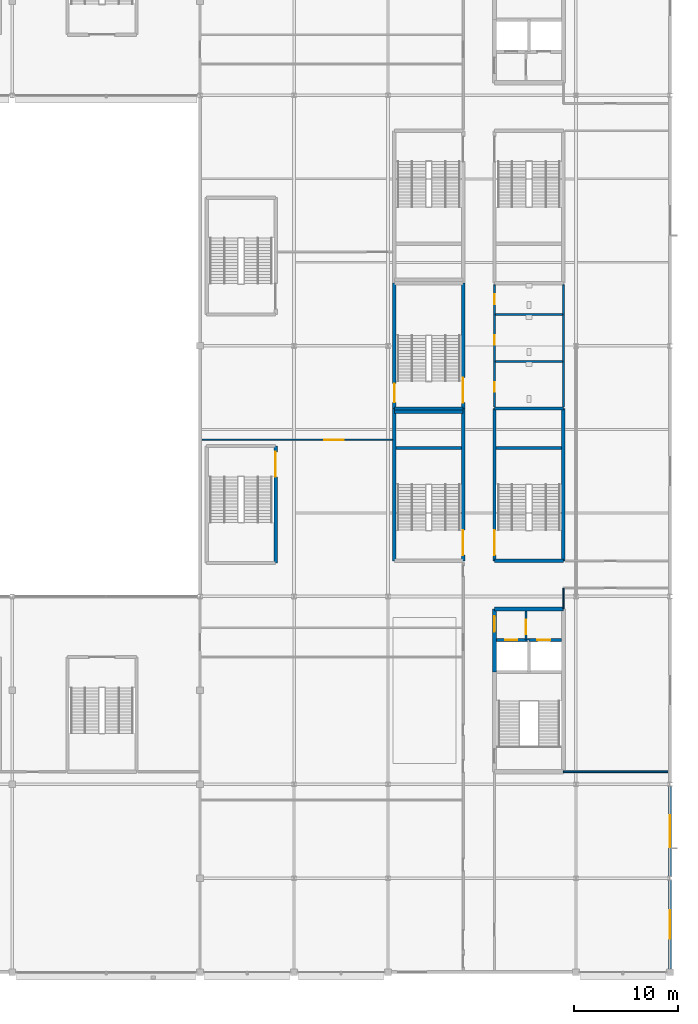
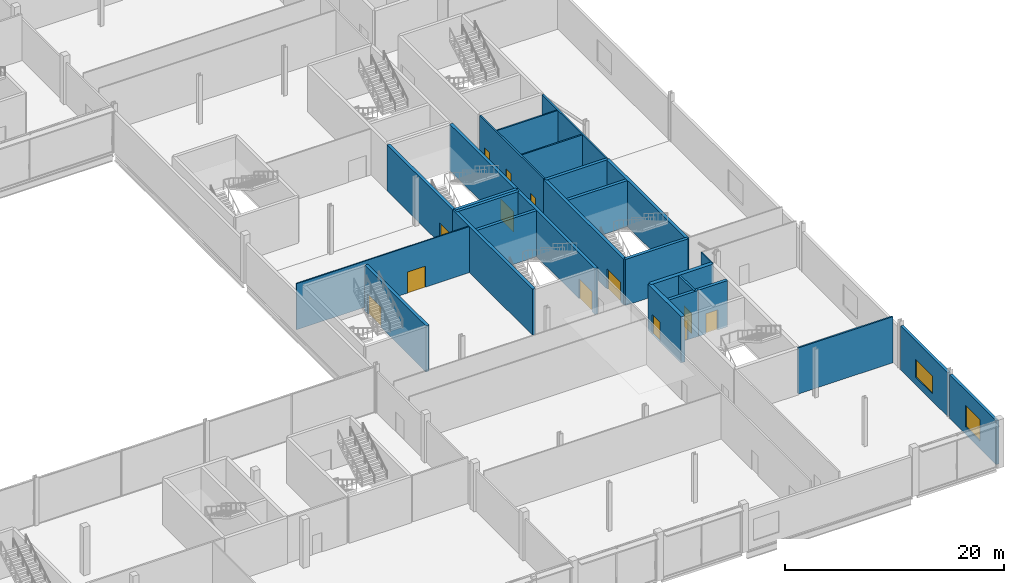
# One storey, part 65 of 111: 27 walls, 13 doors, 2 windows, 15 openings.
"""IFC4 building model written with IfcOpenShell, lengths in metres."""

from ifc_helpers import new_model, si_unit, direction, frame, frame_2d, origin, place, context, subcontext, project, spatial, rectangle, extrude, material, layer, layer_set, type_object, element, fill, save


model = new_model("IFC4")

# Units and contexts
model_context = context("Model", 3, precision=1e-05, world=origin(), true_north=direction((0.0, 1.0)))
body_context = subcontext(model_context, "Body", "Model", "MODEL_VIEW")
ifc_project = project(units=[si_unit("LENGTHUNIT", "METRE"), si_unit("AREAUNIT", "SQUARE_METRE"), si_unit("VOLUMEUNIT", "CUBIC_METRE"), si_unit("PLANEANGLEUNIT", "RADIAN"), si_unit("MASSUNIT", "GRAM", prefix="KILO")], contexts=[model_context])

# Site, building, storey
site_placement = place(None, origin())
site = spatial("IfcSite", under=ifc_project, at=site_placement, CompositionType="ELEMENT")
building_placement = place(site_placement, origin())
building = spatial("IfcBuilding", under=site, at=building_placement, Name="Kisiwana Market Hall", CompositionType="ELEMENT")
storey_placement = place(building_placement, frame((0.0, 0.0, 11.39990234375)))
storey = spatial("IfcBuildingStorey", under=building, at=storey_placement, Name="L02", CompositionType="ELEMENT", Elevation=11.39990234375)

# Wall, opening, door
ifc_material_1 = material(Name="Masonry blockwork", Category="masonry")
ifc_layer_1 = layer(ifc_material_1, 0.199951171875, Name="Plastered fire compartment block wall")
ifc_layer_set_1 = layer_set([ifc_layer_1], Name="WL-COMP-200")
wall_type_1 = type_object("IfcWallType", Name="WL-COMP-200", PredefinedType="PARTITIONING", material=ifc_layer_set_1)
wall_1_placement = place(storey_placement, frame((184.199951171875, 31.820068359375, 0.0), z_axis=(0.0, 0.0, 1.0), x_axis=(0.0, 1.0, 0.0)))
wall_1 = element("IfcWall", 1, at=wall_1_placement, inside=storey, type_object=wall_type_1, Name="Core E2 firefighting lobby wall W-1102", PredefinedType="PARTITIONING", context=body_context, shape_type="SweptSolid", body=[
    extrude(rectangle(XDim=2.780029296875, YDim=0.199951171875, at=frame_2d((1.39013671875, 0.0))), origin(), (0.0, 0.0, 1.0), 5.150146484375),
])
opening_1_placement = place(wall_1_placement, frame((0.550048828125, 0.0, 0.0)))
opening_1 = element("IfcOpeningElement", 2, at=opening_1_placement, cuts=wall_1, Name="Opening DR-L02-009", PredefinedType="OPENING", context=body_context, shape_type="SweptSolid", body=[
    extrude(rectangle(XDim=1.39990234375, YDim=2.25, at=frame_2d((0.699951171875, 1.125))), frame((0.0, 0.11181640625, 0.0), z_axis=(0.0, -1.0, 0.0), x_axis=(1.0, 0.0, 0.0)), (0.0, 0.0, 1.0), 0.223876953125),
])
ifc_material_2 = material(Name="Steel S275", Category="steel")
door_type_1 = type_object("IfcDoorType", Name="DR-FFLOB-FD120-1400", OperationType="DOUBLE_DOOR_SINGLE_SWING", PredefinedType="DOOR", material=ifc_material_2)
door_1_placement = place(opening_1_placement, origin())
door_1 = element("IfcDoor", 3, at=door_1_placement, inside=storey, type_object=door_type_1, Name="Firefighting Lift Lobby E2 Door (L02)", OperationType="DOUBLE_DOOR_SINGLE_SWING", OverallHeight=2.25, OverallWidth=1.39990234375, PredefinedType="DOOR", context=body_context, shape_type="SweptSolid", body=[
    extrude(rectangle(XDim=1.39990234375, YDim=2.25, at=frame_2d((0.699951171875, 1.125))), frame((0.0, 0.02490234375, 0.0), z_axis=(0.0, -1.0, 0.0), x_axis=(1.0, 0.0, 0.0)), (0.0, 0.0, 1.0), 0.050048828125),
])
fill(opening_1, door_1)

ifc_material_3 = material(Name="Concrete C40/50", Category="concrete")
ifc_layer_2 = layer(ifc_material_3, 0.320068359375, Name="Reinforced concrete shaft wall")
ifc_layer_set_2 = layer_set([ifc_layer_2], Name="WL-CORE-320")
wall_type_2 = type_object("IfcWallType", Name="WL-CORE-320", PredefinedType="SHEAR", material=ifc_layer_set_2)
wall_2_placement = place(storey_placement, frame((181.39990234375, 31.820068359375, 0.0), z_axis=(0.0, 0.0, 1.0), x_axis=(1.0, 0.0, 0.0)))
wall_2 = element("IfcWall", 4, at=wall_2_placement, inside=storey, type_object=wall_type_2, Name="Core E2 west lift front wall W-0943", PredefinedType="SHEAR", context=body_context, shape_type="SweptSolid", body=[
    extrude(rectangle(XDim=3.10009765625, YDim=0.320068359375, at=frame_2d((1.550048828125, 0.0))), origin(), (0.0, 0.0, 1.0), 5.150146484375),
])
opening_2_placement = place(wall_2_placement, frame((0.85009765625, 0.0, 0.0)))
opening_2 = element("IfcOpeningElement", 5, at=opening_2_placement, cuts=wall_2, Name="Opening LD-L02-005", PredefinedType="OPENING", context=body_context, shape_type="SweptSolid", body=[
    extrude(rectangle(XDim=1.14990234375, YDim=2.199951171875, at=frame_2d((0.574951171875, 1.10009765625))), frame((0.0, 0.171875, 0.0), z_axis=(0.0, -1.0, 0.0), x_axis=(1.0, 0.0, 0.0)), (0.0, 0.0, 1.0), 0.343994140625),
])
ifc_material_4 = material(Name="Steel S275", Category="steel")
door_type_2 = type_object("IfcDoorType", Name="DR-LIFT-PAX-1150", OperationType="DOUBLE_DOOR_SLIDING", PredefinedType="DOOR", material=ifc_material_4)
door_2_placement = place(opening_2_placement, origin())
door_2 = element("IfcDoor", 6, at=door_2_placement, inside=storey, type_object=door_type_2, Name="Lift Landing Door LP-03 (L02)", OperationType="DOUBLE_DOOR_SLIDING", OverallHeight=2.199951171875, OverallWidth=1.14990234375, PredefinedType="DOOR", context=body_context, shape_type="SweptSolid", body=[
    extrude(rectangle(XDim=1.14990234375, YDim=2.199951171875, at=frame_2d((0.574951171875, 1.10009765625))), frame((0.0, 0.02490234375, 0.0), z_axis=(0.0, -1.0, 0.0), x_axis=(1.0, 0.0, 0.0)), (0.0, 0.0, 1.0), 0.050048828125),
])
fill(opening_2, door_2)

wall_3_placement = place(storey_placement, frame((184.5, 31.820068359375, 0.0), z_axis=(0.0, 0.0, 1.0), x_axis=(1.0, 0.0, 0.0)))
wall_3 = element("IfcWall", 7, at=wall_3_placement, inside=storey, type_object=wall_type_2, Name="Core E2 east lift front wall W-0944", PredefinedType="SHEAR", context=body_context, shape_type="SweptSolid", body=[
    extrude(rectangle(XDim=3.10009765625, YDim=0.320068359375, at=frame_2d((1.550048828125, 0.0))), origin(), (0.0, 0.0, 1.0), 5.150146484375),
])
opening_3_placement = place(wall_3_placement, frame((0.800048828125, 0.0, 0.0)))
opening_3 = element("IfcOpeningElement", 8, at=opening_3_placement, cuts=wall_3, Name="Opening LD-L02-006", PredefinedType="OPENING", context=body_context, shape_type="SweptSolid", body=[
    extrude(rectangle(XDim=1.25, YDim=2.25, at=frame_2d((0.625, 1.125))), frame((0.0, 0.171875, 0.0), z_axis=(0.0, -1.0, 0.0), x_axis=(1.0, 0.0, 0.0)), (0.0, 0.0, 1.0), 0.343994140625),
])
ifc_material_5 = material(Name="Steel S275", Category="steel")
door_type_3 = type_object("IfcDoorType", Name="DR-LIFT-FFL-1250", OperationType="DOUBLE_DOOR_SLIDING", PredefinedType="DOOR", material=ifc_material_5)
door_3_placement = place(opening_3_placement, origin())
door_3 = element("IfcDoor", 9, at=door_3_placement, inside=storey, type_object=door_type_3, Name="Lift Landing Door FFL-03 (L02)", OperationType="DOUBLE_DOOR_SLIDING", OverallHeight=2.25, OverallWidth=1.25, PredefinedType="DOOR", context=body_context, shape_type="SweptSolid", body=[
    extrude(rectangle(XDim=1.25, YDim=2.25, at=frame_2d((0.625, 1.125))), frame((0.0, 0.02490234375, 0.0), z_axis=(0.0, -1.0, 0.0), x_axis=(1.0, 0.0, 0.0)), (0.0, 0.0, 1.0), 0.050048828125),
])
fill(opening_3, door_3)

# Walls
for number, where, z_axis, x_axis, name in (
    (10, (181.199951171875, 39.39990234375, 0.0), (0.0, 0.0, 1.0), (1.0, 0.0, 0.0), "Core E3 south shear wall W-0986"),
    (11, (181.199951171875, 54.0, 0.0), (0.0, 0.0, 1.0), (1.0, 0.0, 0.0), "Core E3 north shear wall W-0987"),
):
    element("IfcWall", number, at=place(storey_placement, frame(where, z_axis=z_axis, x_axis=x_axis)), inside=storey, type_object=wall_type_2, Name=name, PredefinedType="SHEAR", context=body_context, shape_type="SweptSolid", body=[
        extrude(rectangle(XDim=6.60009765625, YDim=0.320068359375, at=frame_2d((3.300048828125, 0.0))), origin(), (0.0, 0.0, 1.0), 5.150146484375),
    ])

# Wall, opening, door
wall_4_placement = place(storey_placement, frame((181.199951171875, 39.39990234375, 0.0), z_axis=(0.0, 0.0, 1.0), x_axis=(0.0, 1.0, 0.0)))
wall_4 = element("IfcWall", 12, at=wall_4_placement, inside=storey, type_object=wall_type_2, Name="Core E3 corridor shear wall W-0988", PredefinedType="SHEAR", context=body_context, shape_type="SweptSolid", body=[
    extrude(rectangle(XDim=14.60009765625, YDim=0.320068359375, at=frame_2d((7.300048828125, 0.0))), origin(), (0.0, 0.0, 1.0), 5.150146484375),
])
opening_4_placement = place(wall_4_placement, frame((0.550048828125, 0.0, 0.0)))
opening_4 = element("IfcOpeningElement", 13, at=opening_4_placement, cuts=wall_4, Name="Opening DR-L02-021", PredefinedType="OPENING", context=body_context, shape_type="SweptSolid", body=[
    extrude(rectangle(XDim=2.39990234375, YDim=2.25, at=frame_2d((1.199951171875, 1.125))), frame((0.0, 0.171875, 0.0), z_axis=(0.0, -1.0, 0.0), x_axis=(1.0, 0.0, 0.0)), (0.0, 0.0, 1.0), 0.343994140625),
])
ifc_material_6 = material(Name="Steel S275", Category="steel")
door_type_4 = type_object("IfcDoorType", Name="DR-STAIR-FD120-2400", OperationType="DOUBLE_DOOR_SINGLE_SWING", PredefinedType="DOOR", material=ifc_material_6)
door_4_placement = place(opening_4_placement, frame((2.39990234375, 0.0, 0.0), z_axis=(0.0, 0.0, 1.0), x_axis=(-1.0, 0.0, 0.0)))
door_4 = element("IfcDoor", 14, at=door_4_placement, inside=storey, type_object=door_type_4, Name="Escape Stair E3 Fire Door (L02)", OperationType="DOUBLE_DOOR_SINGLE_SWING", OverallHeight=2.25, OverallWidth=2.39990234375, PredefinedType="DOOR", context=body_context, shape_type="SweptSolid", body=[
    extrude(rectangle(XDim=2.39990234375, YDim=2.25, at=frame_2d((1.199951171875, 1.125))), frame((0.0, 0.02490234375, 0.0), z_axis=(0.0, -1.0, 0.0), x_axis=(1.0, 0.0, 0.0)), (0.0, 0.0, 1.0), 0.050048828125),
])
fill(opening_4, door_4)

# Walls
wall_5_placement = place(storey_placement, frame((187.800048828125, 39.39990234375, 0.0), z_axis=(0.0, 0.0, 1.0), x_axis=(0.0, 1.0, 0.0)))
element("IfcWall", 15, at=wall_5_placement, inside=storey, type_object=wall_type_2, Name="Core E3 outer shear wall W-0989", PredefinedType="SHEAR", context=body_context, shape_type="SweptSolid", body=[
    extrude(rectangle(XDim=14.60009765625, YDim=0.320068359375, at=frame_2d((7.300048828125, 0.0))), origin(), (0.0, 0.0, 1.0), 5.150146484375),
])
wall_6_placement = place(storey_placement, frame((181.360107421875, 50.219970703125, 0.0), z_axis=(0.0, 0.0, 1.0), x_axis=(1.0, 0.0, 0.0)))
element("IfcWall", 16, at=wall_6_placement, inside=storey, type_object=wall_type_2, Name="Core E3 riser divider shear wall W-0990", PredefinedType="SHEAR", context=body_context, shape_type="SweptSolid", body=[
    extrude(rectangle(XDim=6.27978515625, YDim=0.320068359375, at=frame_2d((3.139892578125, 0.0))), origin(), (0.0, 0.0, 1.0), 5.150146484375),
])
wall_7_placement = place(storey_placement, frame((171.60009765625, 54.0, 0.0), z_axis=(0.0, 0.0, 1.0), x_axis=(1.0, 0.0, 0.0)))
element("IfcWall", 17, at=wall_7_placement, inside=storey, type_object=wall_type_2, Name="Core E7 north shear wall W-1002", PredefinedType="SHEAR", context=body_context, shape_type="SweptSolid", body=[
    extrude(rectangle(XDim=6.599853515625, YDim=0.320068359375, at=frame_2d((3.2998046875, 0.0))), origin(), (0.0, 0.0, 1.0), 5.150146484375),
])
wall_8_placement = place(storey_placement, frame((171.60009765625, 39.39990234375, 0.0), z_axis=(0.0, 0.0, 1.0), x_axis=(0.0, 1.0, 0.0)))
element("IfcWall", 18, at=wall_8_placement, inside=storey, type_object=wall_type_2, Name="Core E7 outer shear wall W-1003", PredefinedType="SHEAR", context=body_context, shape_type="SweptSolid", body=[
    extrude(rectangle(XDim=14.60009765625, YDim=0.320068359375, at=frame_2d((7.300048828125, 0.0))), origin(), (0.0, 0.0, 1.0), 5.150146484375),
])

# Wall, opening, door
wall_9_placement = place(storey_placement, frame((178.199951171875, 39.39990234375, 0.0), z_axis=(0.0, 0.0, 1.0), x_axis=(0.0, 1.0, 0.0)))
wall_9 = element("IfcWall", 19, at=wall_9_placement, inside=storey, type_object=wall_type_2, Name="Core E7 corridor shear wall W-1004", PredefinedType="SHEAR", context=body_context, shape_type="SweptSolid", body=[
    extrude(rectangle(XDim=14.60009765625, YDim=0.320068359375, at=frame_2d((7.300048828125, 0.0))), origin(), (0.0, 0.0, 1.0), 5.150146484375),
])
opening_5_placement = place(wall_9_placement, frame((0.550048828125, 0.0, 0.0)))
opening_5 = element("IfcOpeningElement", 20, at=opening_5_placement, cuts=wall_9, Name="Opening DR-L02-024", PredefinedType="OPENING", context=body_context, shape_type="SweptSolid", body=[
    extrude(rectangle(XDim=2.39990234375, YDim=2.25, at=frame_2d((1.199951171875, 1.125))), frame((0.0, 0.171875, 0.0), z_axis=(0.0, -1.0, 0.0), x_axis=(1.0, 0.0, 0.0)), (0.0, 0.0, 1.0), 0.343994140625),
])
door_5_placement = place(opening_5_placement, origin())
door_5 = element("IfcDoor", 21, at=door_5_placement, inside=storey, type_object=door_type_4, Name="Escape Stair E7 Fire Door (L02)", OperationType="DOUBLE_DOOR_SINGLE_SWING", OverallHeight=2.25, OverallWidth=2.39990234375, PredefinedType="DOOR", context=body_context, shape_type="SweptSolid", body=[
    extrude(rectangle(XDim=2.39990234375, YDim=2.25, at=frame_2d((1.199951171875, 1.125))), frame((0.0, 0.02490234375, 0.0), z_axis=(0.0, -1.0, 0.0), x_axis=(1.0, 0.0, 0.0)), (0.0, 0.0, 1.0), 0.050048828125),
])
fill(opening_5, door_5)

# Wall
wall_10_placement = place(storey_placement, frame((171.760009765625, 50.219970703125, 0.0), z_axis=(0.0, 0.0, 1.0), x_axis=(1.0, 0.0, 0.0)))
element("IfcWall", 22, at=wall_10_placement, inside=storey, type_object=wall_type_2, Name="Core E7 riser divider shear wall W-1005", PredefinedType="SHEAR", context=body_context, shape_type="SweptSolid", body=[
    extrude(rectangle(XDim=6.280029296875, YDim=0.320068359375, at=frame_2d((3.14013671875, 0.0))), origin(), (0.0, 0.0, 1.0), 5.150146484375),
])

# Wall, opening, door
wall_11_placement = place(storey_placement, frame((160.22998046875, 39.199951171875, 0.0), z_axis=(0.0, 0.0, 1.0), x_axis=(0.0, 1.0, 0.0)))
wall_11 = element("IfcWall", 23, at=wall_11_placement, inside=storey, type_object=wall_type_2, Name="Core E9 corridor shear wall W-1023", PredefinedType="SHEAR", context=body_context, shape_type="SweptSolid", body=[
    extrude(rectangle(XDim=11.199951171875, YDim=0.320068359375, at=frame_2d((5.60009765625, 0.0))), origin(), (0.0, 0.0, 1.0), 5.150146484375),
])
opening_6_placement = place(wall_11_placement, frame((8.25, 0.0, 0.0)))
opening_6 = element("IfcOpeningElement", 24, at=opening_6_placement, cuts=wall_11, Name="Opening DR-L02-028", PredefinedType="OPENING", context=body_context, shape_type="SweptSolid", body=[
    extrude(rectangle(XDim=2.39990234375, YDim=2.25, at=frame_2d((1.199951171875, 1.125))), frame((0.0, 0.171875, 0.0), z_axis=(0.0, -1.0, 0.0), x_axis=(1.0, 0.0, 0.0)), (0.0, 0.0, 1.0), 0.343994140625),
])
door_6_placement = place(opening_6_placement, origin())
door_6 = element("IfcDoor", 25, at=door_6_placement, inside=storey, type_object=door_type_4, Name="Escape Stair E9 Fire Door (L02)", OperationType="DOUBLE_DOOR_SINGLE_SWING", OverallHeight=2.25, OverallWidth=2.39990234375, PredefinedType="DOOR", context=body_context, shape_type="SweptSolid", body=[
    extrude(rectangle(XDim=2.39990234375, YDim=2.25, at=frame_2d((1.199951171875, 1.125))), frame((0.0, 0.02490234375, 0.0), z_axis=(0.0, -1.0, 0.0), x_axis=(1.0, 0.0, 0.0)), (0.0, 0.0, 1.0), 0.050048828125),
])
fill(opening_6, door_6)

# Wall
wall_12_placement = place(storey_placement, frame((171.60009765625, 53.679931640625, 0.0), z_axis=(0.0, 0.0, 1.0), x_axis=(1.0, 0.0, 0.0)))
element("IfcWall", 26, at=wall_12_placement, inside=storey, type_object=wall_type_2, Name="Core E5 south shear wall W-1036", PredefinedType="SHEAR", context=body_context, shape_type="SweptSolid", body=[
    extrude(rectangle(XDim=6.599853515625, YDim=0.320068359375, at=frame_2d((3.2998046875, 0.0))), origin(), (0.0, 0.0, 1.0), 5.150146484375),
])

# Wall, opening, door
wall_13_placement = place(storey_placement, frame((171.60009765625, 54.0, 0.0), z_axis=(0.0, 0.0, 1.0), x_axis=(0.0, 1.0, 0.0)))
wall_13 = element("IfcWall", 27, at=wall_13_placement, inside=storey, type_object=wall_type_2, Name="Core E5 outer shear wall W-1038", PredefinedType="SHEAR", context=body_context, shape_type="SweptSolid", body=[
    extrude(rectangle(XDim=12.0, YDim=0.320068359375, at=frame_2d((6.0, 0.0))), origin(), (0.0, 0.0, 1.0), 5.150146484375),
])
opening_7_placement = place(wall_13_placement, frame((0.580078125, 0.0, 0.0)))
opening_7 = element("IfcOpeningElement", 28, at=opening_7_placement, cuts=wall_13, Name="Opening DR-L02-034", PredefinedType="OPENING", context=body_context, shape_type="SweptSolid", body=[
    extrude(rectangle(XDim=1.800048828125, YDim=2.25, at=frame_2d((0.89990234375, 1.125))), frame((0.0, 0.171875, 0.0), z_axis=(0.0, -1.0, 0.0), x_axis=(1.0, 0.0, 0.0)), (0.0, 0.0, 1.0), 0.343994140625),
])
ifc_material_7 = material(Name="Steel S275", Category="steel")
door_type_5 = type_object("IfcDoorType", Name="DR-STAIR-FD120-1800", OperationType="DOUBLE_DOOR_SINGLE_SWING", PredefinedType="DOOR", material=ifc_material_7)
door_7_placement = place(opening_7_placement, frame((1.800048828125, 0.0, 0.0), z_axis=(0.0, 0.0, 1.0), x_axis=(-1.0, 0.0, 0.0)))
door_7 = element("IfcDoor", 29, at=door_7_placement, inside=storey, type_object=door_type_5, Name="Escape Stair E5 Room Door (L02)", OperationType="DOUBLE_DOOR_SINGLE_SWING", OverallHeight=2.25, OverallWidth=1.800048828125, PredefinedType="DOOR", context=body_context, shape_type="SweptSolid", body=[
    extrude(rectangle(XDim=1.800048828125, YDim=2.25, at=frame_2d((0.89990234375, 1.125))), frame((0.0, 0.02490234375, 0.0), z_axis=(0.0, -1.0, 0.0), x_axis=(1.0, 0.0, 0.0)), (0.0, 0.0, 1.0), 0.050048828125),
])
fill(opening_7, door_7)

wall_14_placement = place(storey_placement, frame((178.199951171875, 54.0, 0.0), z_axis=(0.0, 0.0, 1.0), x_axis=(0.0, 1.0, 0.0)))
wall_14 = element("IfcWall", 30, at=wall_14_placement, inside=storey, type_object=wall_type_2, Name="Core E5 corridor shear wall W-1039", PredefinedType="SHEAR", context=body_context, shape_type="SweptSolid", body=[
    extrude(rectangle(XDim=12.0, YDim=0.320068359375, at=frame_2d((6.0, 0.0))), origin(), (0.0, 0.0, 1.0), 5.150146484375),
])
opening_8_placement = place(wall_14_placement, frame((0.550048828125, 0.0, 0.0)))
opening_8 = element("IfcOpeningElement", 31, at=opening_8_placement, cuts=wall_14, Name="Opening DR-L02-033", PredefinedType="OPENING", context=body_context, shape_type="SweptSolid", body=[
    extrude(rectangle(XDim=2.39990234375, YDim=2.25, at=frame_2d((1.199951171875, 1.125))), frame((0.0, 0.171875, 0.0), z_axis=(0.0, -1.0, 0.0), x_axis=(1.0, 0.0, 0.0)), (0.0, 0.0, 1.0), 0.343994140625),
])
door_8_placement = place(opening_8_placement, origin())
door_8 = element("IfcDoor", 32, at=door_8_placement, inside=storey, type_object=door_type_4, Name="Escape Stair E5 Fire Door (L02)", OperationType="DOUBLE_DOOR_SINGLE_SWING", OverallHeight=2.25, OverallWidth=2.39990234375, PredefinedType="DOOR", context=body_context, shape_type="SweptSolid", body=[
    extrude(rectangle(XDim=2.39990234375, YDim=2.25, at=frame_2d((1.199951171875, 1.125))), frame((0.0, 0.02490234375, 0.0), z_axis=(0.0, -1.0, 0.0), x_axis=(1.0, 0.0, 0.0)), (0.0, 0.0, 1.0), 0.050048828125),
])
fill(opening_8, door_8)

# Wall
ifc_material_8 = material(Name="Concrete C40/50", Category="concrete")
ifc_layer_3 = layer(ifc_material_8, 0.39990234375, Name="Reinforced concrete core wall")
ifc_layer_set_3 = layer_set([ifc_layer_3], Name="WL-CORE-400")
wall_type_3 = type_object("IfcWallType", Name="WL-CORE-400", PredefinedType="SHEAR", material=ifc_layer_set_3)
wall_15_placement = place(storey_placement, frame((181.199951171875, 34.800048828125, 0.0), z_axis=(0.0, 0.0, 1.0), x_axis=(1.0, 0.0, 0.0)))
element("IfcWall", 33, at=wall_15_placement, inside=storey, type_object=wall_type_3, Name="Core E2 north shear wall W-0937", PredefinedType="SHEAR", context=body_context, shape_type="SweptSolid", body=[
    extrude(rectangle(XDim=6.60009765625, YDim=0.39990234375, at=frame_2d((3.300048828125, 0.0))), origin(), (0.0, 0.0, 1.0), 5.150146484375),
])

# Wall, opening, door
wall_16_placement = place(storey_placement, frame((181.199951171875, 28.760009765625, 0.0), z_axis=(0.0, 0.0, 1.0), x_axis=(0.0, 1.0, 0.0)))
wall_16 = element("IfcWall", 34, at=wall_16_placement, inside=storey, type_object=wall_type_3, Name="Core E2 lobby corridor shear wall W-0940", PredefinedType="SHEAR", context=body_context, shape_type="SweptSolid", body=[
    extrude(rectangle(XDim=6.0400390625, YDim=0.39990234375, at=frame_2d((3.02001953125, 0.0))), origin(), (0.0, 0.0, 1.0), 5.150146484375),
])
opening_9_placement = place(wall_16_placement, frame((3.85009765625, 0.0, 0.0)))
opening_9 = element("IfcOpeningElement", 35, at=opening_9_placement, cuts=wall_16, Name="Opening DR-L02-008", PredefinedType="OPENING", context=body_context, shape_type="SweptSolid", body=[
    extrude(rectangle(XDim=1.5, YDim=2.199951171875, at=frame_2d((0.75, 1.10009765625))), frame((0.0, 0.2119140625, 0.0), z_axis=(0.0, -1.0, 0.0), x_axis=(1.0, 0.0, 0.0)), (0.0, 0.0, 1.0), 0.423828125),
])
ifc_material_9 = material(Name="Steel S275", Category="steel")
door_type_6 = type_object("IfcDoorType", Name="DR-CORR-FD60-1500", OperationType="DOUBLE_DOOR_SINGLE_SWING", PredefinedType="DOOR", material=ifc_material_9)
door_9_placement = place(opening_9_placement, origin())
door_9 = element("IfcDoor", 36, at=door_9_placement, inside=storey, type_object=door_type_6, Name="Passenger Lift Lobby E2 Smoke Door (L02)", OperationType="DOUBLE_DOOR_SINGLE_SWING", OverallHeight=2.199951171875, OverallWidth=1.5, PredefinedType="DOOR", context=body_context, shape_type="SweptSolid", body=[
    extrude(rectangle(XDim=1.5, YDim=2.199951171875, at=frame_2d((0.75, 1.10009765625))), frame((0.0, 0.02490234375, 0.0), z_axis=(0.0, -1.0, 0.0), x_axis=(1.0, 0.0, 0.0)), (0.0, 0.0, 1.0), 0.050048828125),
])
fill(opening_9, door_9)

# Wall
ifc_material_10 = material(Name="Masonry blockwork", Category="masonry")
ifc_layer_4 = layer(ifc_material_10, 0.169921875, Name="Protected corridor partition")
ifc_layer_set_4 = layer_set([ifc_layer_4], Name="WL-CORR-170")
wall_type_4 = type_object("IfcWallType", Name="WL-CORR-170", PredefinedType="PARTITIONING", material=ifc_layer_set_4)
wall_17_placement = place(storey_placement, frame((187.800048828125, 54.159912109375, 0.0), z_axis=(0.0, 0.0, 1.0), x_axis=(0.0, 1.0, 0.0)))
element("IfcWall", 37, at=wall_17_placement, inside=storey, type_object=wall_type_4, Name="Interior partition W-1134", PredefinedType="PARTITIONING", context=body_context, shape_type="SweptSolid", body=[
    extrude(rectangle(XDim=11.68017578125, YDim=0.169921875, at=frame_2d((5.840087890625, 0.0))), origin(), (0.0, 0.0, 1.0), 5.150146484375),
])

# Wall, openings, doors
wall_18_placement = place(storey_placement, frame((181.199951171875, 54.159912109375, 0.0), z_axis=(0.0, 0.0, 1.0), x_axis=(0.0, 1.0, 0.0)))
wall_18 = element("IfcWall", 38, at=wall_18_placement, inside=storey, type_object=wall_type_4, Name="Interior partition W-1135", PredefinedType="PARTITIONING", context=body_context, shape_type="SweptSolid", body=[
    extrude(rectangle(XDim=11.68017578125, YDim=0.169921875, at=frame_2d((5.840087890625, 0.0))), origin(), (0.0, 0.0, 1.0), 5.150146484375),
])
opening_10_placement = place(wall_18_placement, frame((1.43994140625, 0.0, 0.0)))
opening_10 = element("IfcOpeningElement", 39, at=opening_10_placement, cuts=wall_18, Name="Opening DR-L02-065", PredefinedType="OPENING", context=body_context, shape_type="SweptSolid", body=[
    extrude(rectangle(XDim=0.89990234375, YDim=2.10009765625, at=frame_2d((0.449951171875, 1.050048828125))), frame((0.0, 0.096923828125, 0.0), z_axis=(0.0, -1.0, 0.0), x_axis=(1.0, 0.0, 0.0)), (0.0, 0.0, 1.0), 0.19384765625),
])
opening_11_placement = place(wall_18_placement, frame((5.93994140625, 0.0, 0.0)))
opening_11 = element("IfcOpeningElement", 40, at=opening_11_placement, cuts=wall_18, Name="Opening DR-L02-066", PredefinedType="OPENING", context=body_context, shape_type="SweptSolid", body=[
    extrude(rectangle(XDim=0.89990234375, YDim=2.10009765625, at=frame_2d((0.449951171875, 1.050048828125))), frame((0.0, 0.096923828125, 0.0), z_axis=(0.0, -1.0, 0.0), x_axis=(1.0, 0.0, 0.0)), (0.0, 0.0, 1.0), 0.19384765625),
])
opening_12_placement = place(wall_18_placement, frame((9.840087890625, 0.0, 0.0)))
opening_12 = element("IfcOpeningElement", 41, at=opening_12_placement, cuts=wall_18, Name="Opening DR-L02-067", PredefinedType="OPENING", context=body_context, shape_type="SweptSolid", body=[
    extrude(rectangle(XDim=0.949951171875, YDim=2.10009765625, at=frame_2d((0.47509765625, 1.050048828125))), frame((0.0, 0.096923828125, 0.0), z_axis=(0.0, -1.0, 0.0), x_axis=(1.0, 0.0, 0.0)), (0.0, 0.0, 1.0), 0.19384765625),
])
ifc_material_11 = material(Name="Aluminium alloy 6063-T6", Category="aluminium")
door_type_7 = type_object("IfcDoorType", Name="DR-WC-ACC-950", OperationType="NOTDEFINED", PredefinedType="DOOR", material=ifc_material_11)
door_10_placement = place(opening_12_placement, frame((0.949951171875, 0.0, 0.0), z_axis=(0.0, 0.0, 1.0), x_axis=(-1.0, 0.0, 0.0)))
door_10 = element("IfcDoor", 42, at=door_10_placement, inside=storey, type_object=door_type_7, Name="L02 E Accessible WC Door", OperationType="SINGLE_SWING_LEFT", OverallHeight=2.10009765625, OverallWidth=0.949951171875, PredefinedType="DOOR", context=body_context, shape_type="SweptSolid", body=[
    extrude(rectangle(XDim=0.949951171875, YDim=2.10009765625, at=frame_2d((0.47509765625, 1.050048828125))), frame((0.0, 0.02490234375, 0.0), z_axis=(0.0, -1.0, 0.0), x_axis=(1.0, 0.0, 0.0)), (0.0, 0.0, 1.0), 0.050048828125),
])
fill(opening_12, door_10)
ifc_material_12 = material(Name="Aluminium alloy 6063-T6", Category="aluminium")
door_type_8 = type_object("IfcDoorType", Name="DR-WC-STD-900", OperationType="NOTDEFINED", PredefinedType="DOOR", material=ifc_material_12)
door_11_placement = place(opening_10_placement, frame((0.89990234375, 0.0, 0.0), z_axis=(0.0, 0.0, 1.0), x_axis=(-1.0, 0.0, 0.0)))
door_11 = element("IfcDoor", 43, at=door_11_placement, inside=storey, type_object=door_type_8, Name="L02 E Male Toilet Door", OperationType="SINGLE_SWING_RIGHT", OverallHeight=2.10009765625, OverallWidth=0.89990234375, PredefinedType="DOOR", context=body_context, shape_type="SweptSolid", body=[
    extrude(rectangle(XDim=0.89990234375, YDim=2.10009765625, at=frame_2d((0.449951171875, 1.050048828125))), frame((0.0, 0.02490234375, 0.0), z_axis=(0.0, -1.0, 0.0), x_axis=(1.0, 0.0, 0.0)), (0.0, 0.0, 1.0), 0.050048828125),
])
fill(opening_10, door_11)
door_12_placement = place(opening_11_placement, frame((0.89990234375, 0.0, 0.0), z_axis=(0.0, 0.0, 1.0), x_axis=(-1.0, 0.0, 0.0)))
door_12 = element("IfcDoor", 44, at=door_12_placement, inside=storey, type_object=door_type_8, Name="L02 E Female Toilet Door", OperationType="SINGLE_SWING_LEFT", OverallHeight=2.10009765625, OverallWidth=0.89990234375, PredefinedType="DOOR", context=body_context, shape_type="SweptSolid", body=[
    extrude(rectangle(XDim=0.89990234375, YDim=2.10009765625, at=frame_2d((0.449951171875, 1.050048828125))), frame((0.0, 0.02490234375, 0.0), z_axis=(0.0, -1.0, 0.0), x_axis=(1.0, 0.0, 0.0)), (0.0, 0.0, 1.0), 0.050048828125),
])
fill(opening_11, door_12)

# Wall
wall_19_placement = place(storey_placement, frame((187.800048828125, 19.199951171875, 0.0), z_axis=(0.0, 0.0, 1.0), x_axis=(1.0, 0.0, 0.0)))
element("IfcWall", 45, at=wall_19_placement, inside=storey, type_object=wall_type_4, Name="Interior partition W-1140", PredefinedType="PARTITIONING", context=body_context, shape_type="SweptSolid", body=[
    extrude(rectangle(XDim=10.017333984375, YDim=0.169921875, at=frame_2d((5.0087890625, 0.0))), origin(), (0.0, 0.0, 1.0), 5.150146484375),
])

# Wall, opening, window
ifc_material_13 = material(Name="Masonry blockwork", Category="masonry")
ifc_layer_5 = layer(ifc_material_13, 0.139892578125, Name="Rendered masonry outer leaf")
ifc_material_14 = material(Name="Mineral wool insulation")
ifc_layer_6 = layer(ifc_material_14, 0.074951171875, Name="Mineral wool cavity insulation")
ifc_material_15 = material(Name="Gypsum plasterboard")
ifc_layer_7 = layer(ifc_material_15, 0.074951171875, Name="Calcium silicate inner lining")
ifc_layer_set_5 = layer_set([ifc_layer_5, ifc_layer_6, ifc_layer_7], Name="WL-EXT-MAS-290")
wall_type_5 = type_object("IfcWallType", Name="WL-EXT-MAS-290", PredefinedType="STANDARD", material=ifc_layer_set_5)
wall_20_placement = place(storey_placement, frame((198.0, 0.31689453125, 0.0), z_axis=(0.0, 0.0, 1.0), x_axis=(0.0, 1.0, 0.0)))
wall_20 = element("IfcWall", 46, at=wall_20_placement, inside=storey, type_object=wall_type_5, Name="Exterior wall W-1092", PredefinedType="STANDARD", context=body_context, shape_type="SweptSolid", body=[
    extrude(rectangle(XDim=8.49462890625, YDim=0.2900390625, at=frame_2d((4.247314453125, 0.0))), origin(), (0.0, 0.0, 1.0), 4.900146484375),
])
opening_13_placement = place(wall_20_placement, frame((2.897216796875, 0.0, 0.85009765625)))
opening_13 = element("IfcOpeningElement", 47, at=opening_13_placement, cuts=wall_20, Name="Opening WN-10", PredefinedType="OPENING", context=body_context, shape_type="SweptSolid", body=[
    extrude(rectangle(XDim=2.699951171875, YDim=2.39990234375, at=frame_2d((1.35009765625, 1.199951171875))), frame((0.0, 0.156982421875, 0.0), z_axis=(0.0, -1.0, 0.0), x_axis=(1.0, 0.0, 0.0)), (0.0, 0.0, 1.0), 0.31396484375),
])
ifc_material_16 = material(Name="Double-glazed solar-control low-E IGU", Category="glass")
window_type_1 = type_object("IfcWindowType", Name="WN-GLD-2700x2400", PartitioningType="SINGLE_PANEL", PredefinedType="WINDOW", material=ifc_material_16)
window_1_placement = place(opening_13_placement, origin())
window_1 = element("IfcWindow", 48, at=window_1_placement, inside=storey, type_object=window_type_1, Name="Exterior window WN-043", OverallHeight=2.39990234375, OverallWidth=2.699951171875, PartitioningType="SINGLE_PANEL", PredefinedType="WINDOW", context=body_context, shape_type="SweptSolid", body=[
    extrude(rectangle(XDim=2.699951171875, YDim=2.39990234375, at=frame_2d((1.35009765625, 1.199951171875))), frame((0.0, 0.030029296875, 0.0), z_axis=(0.0, -1.0, 0.0), x_axis=(1.0, 0.0, 0.0)), (0.0, 0.0, 1.0), 0.06005859375),
])
fill(opening_13, window_1)

wall_21_placement = place(storey_placement, frame((198.0, 9.1884765625, 0.0), z_axis=(0.0, 0.0, 1.0), x_axis=(0.0, 1.0, 0.0)))
wall_21 = element("IfcWall", 49, at=wall_21_placement, inside=storey, type_object=wall_type_5, Name="Exterior wall W-1093", PredefinedType="STANDARD", context=body_context, shape_type="SweptSolid", body=[
    extrude(rectangle(XDim=8.617431640625, YDim=0.2900390625, at=frame_2d((4.30859375, 0.0))), origin(), (0.0, 0.0, 1.0), 4.900146484375),
])
opening_14_placement = place(wall_21_placement, frame((2.7587890625, 0.0, 0.85009765625)))
opening_14 = element("IfcOpeningElement", 50, at=opening_14_placement, cuts=wall_21, Name="Opening W-37", PredefinedType="OPENING", context=body_context, shape_type="SweptSolid", body=[
    extrude(rectangle(XDim=3.10009765625, YDim=2.0, at=frame_2d((1.550048828125, 1.0))), frame((0.0, 0.156982421875, 0.0), z_axis=(0.0, -1.0, 0.0), x_axis=(1.0, 0.0, 0.0)), (0.0, 0.0, 1.0), 0.31396484375),
])
ifc_material_17 = material(Name="Double-glazed solar-control low-E IGU", Category="glass")
window_type_2 = type_object("IfcWindowType", Name="WN-TWRC-3100x2000", PartitioningType="SINGLE_PANEL", PredefinedType="WINDOW", material=ifc_material_17)
window_2_placement = place(opening_14_placement, origin())
window_2 = element("IfcWindow", 51, at=window_2_placement, inside=storey, type_object=window_type_2, Name="Exterior window WN-027", OverallHeight=2.0, OverallWidth=3.10009765625, PartitioningType="SINGLE_PANEL", PredefinedType="WINDOW", context=body_context, shape_type="SweptSolid", body=[
    extrude(rectangle(XDim=3.10009765625, YDim=2.0, at=frame_2d((1.550048828125, 1.0))), frame((0.0, 0.030029296875, 0.0), z_axis=(0.0, -1.0, 0.0), x_axis=(1.0, 0.0, 0.0)), (0.0, 0.0, 1.0), 0.06005859375),
])
fill(opening_14, window_2)

# Wall
ifc_material_18 = material(Name="Gypsum plasterboard")
ifc_layer_8 = layer(ifc_material_18, 0.125, Name="Double gypsum board + acoustic stud")
ifc_layer_set_6 = layer_set([ifc_layer_8], Name="WL-OFF-125")
wall_type_6 = type_object("IfcWallType", Name="WL-OFF-125", PredefinedType="PARTITIONING", material=ifc_layer_set_6)
wall_22_placement = place(storey_placement, frame((187.800048828125, 34.800048828125, 0.0), z_axis=(0.0, 0.0, 1.0), x_axis=(0.0, 1.0, 0.0)))
element("IfcWall", 52, at=wall_22_placement, inside=storey, type_object=wall_type_6, Name="Interior partition W-1138", PredefinedType="PARTITIONING", context=body_context, shape_type="SweptSolid", body=[
    extrude(rectangle(XDim=2.0, YDim=0.125, at=frame_2d((1.0, 0.0))), origin(), (0.0, 0.0, 1.0), 5.150146484375),
])

# Wall, opening, door
wall_23_placement = place(storey_placement, frame((153.1826171875, 51.0, 0.0), z_axis=(0.0, 0.0, 1.0), x_axis=(1.0, 0.0, 0.0)))
wall_23 = element("IfcWall", 53, at=wall_23_placement, inside=storey, type_object=wall_type_6, Name="Interior partition W-1151", PredefinedType="PARTITIONING", context=body_context, shape_type="SweptSolid", body=[
    extrude(rectangle(XDim=18.25732421875, YDim=0.125, at=frame_2d((9.128662109375, 0.0))), origin(), (0.0, 0.0, 1.0), 5.150146484375),
])
opening_15_placement = place(wall_23_placement, frame((11.697021484375, 0.0, 0.0)))
opening_15 = element("IfcOpeningElement", 54, at=opening_15_placement, cuts=wall_23, Name="Opening DR-L02-073", PredefinedType="OPENING", context=body_context, shape_type="SweptSolid", body=[
    extrude(rectangle(XDim=1.89990234375, YDim=2.35009765625, at=frame_2d((0.949951171875, 1.175048828125))), frame((0.0, 0.074462890625, 0.0), z_axis=(0.0, -1.0, 0.0), x_axis=(1.0, 0.0, 0.0)), (0.0, 0.0, 1.0), 0.14892578125),
])
ifc_material_19 = material(Name="Steel S275", Category="steel")
door_type_9 = type_object("IfcDoorType", Name="DR-HALL-1900", OperationType="DOUBLE_DOOR_SINGLE_SWING", PredefinedType="DOOR", material=ifc_material_19)
door_13_placement = place(opening_15_placement, origin())
door_13 = element("IfcDoor", 55, at=door_13_placement, inside=storey, type_object=door_type_9, Name="L02 E Cooperative Boardroom Exit Door", OperationType="DOUBLE_DOOR_SINGLE_SWING", OverallHeight=2.35009765625, OverallWidth=1.89990234375, PredefinedType="DOOR", context=body_context, shape_type="SweptSolid", body=[
    extrude(rectangle(XDim=1.89990234375, YDim=2.35009765625, at=frame_2d((0.949951171875, 1.175048828125))), frame((0.0, 0.02490234375, 0.0), z_axis=(0.0, -1.0, 0.0), x_axis=(1.0, 0.0, 0.0)), (0.0, 0.0, 1.0), 0.050048828125),
])
fill(opening_15, door_13)

# Walls
ifc_material_20 = material(Name="Masonry blockwork", Category="masonry")
ifc_layer_9 = layer(ifc_material_20, 0.14990234375, Name="Water-resistant sanitary block wall")
ifc_layer_set_7 = layer_set([ifc_layer_9], Name="WL-WET-150")
wall_type_7 = type_object("IfcWallType", Name="WL-WET-150", PredefinedType="PARTITIONING", material=ifc_layer_set_7)
for number, where, z_axis, x_axis, name in (
    (56, (181.284912109375, 58.5, 0.0), (0.0, 0.0, 1.0), (1.0, 0.0, 0.0), "Interior partition W-1136"),
    (57, (181.284912109375, 63.0, 0.0), (0.0, 0.0, 1.0), (1.0, 0.0, 0.0), "Interior partition W-1137"),
):
    element("IfcWall", number, at=place(storey_placement, frame(where, z_axis=z_axis, x_axis=x_axis)), inside=storey, type_object=wall_type_7, Name=name, PredefinedType="PARTITIONING", context=body_context, shape_type="SweptSolid", body=[
        extrude(rectangle(XDim=6.43017578125, YDim=0.14990234375, at=frame_2d((3.215087890625, 0.0))), origin(), (0.0, 0.0, 1.0), 5.150146484375),
    ])

save(model, "model.ifc")
